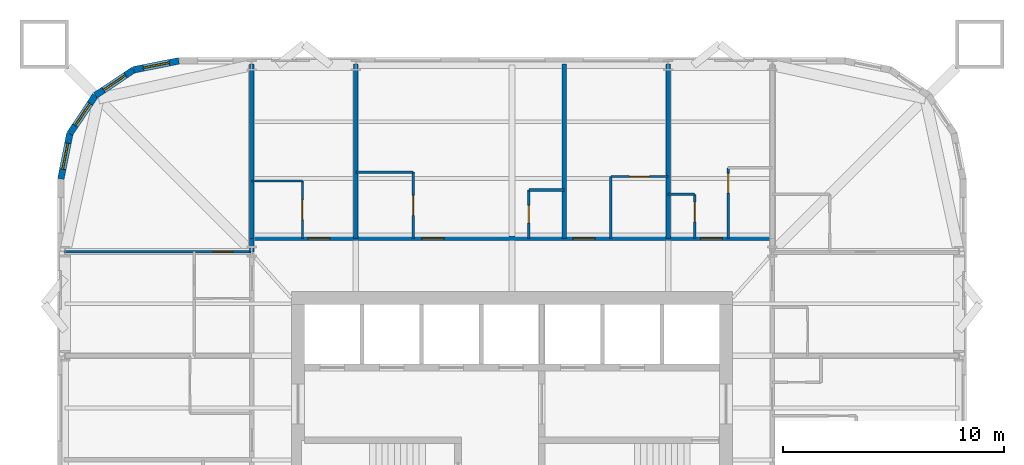
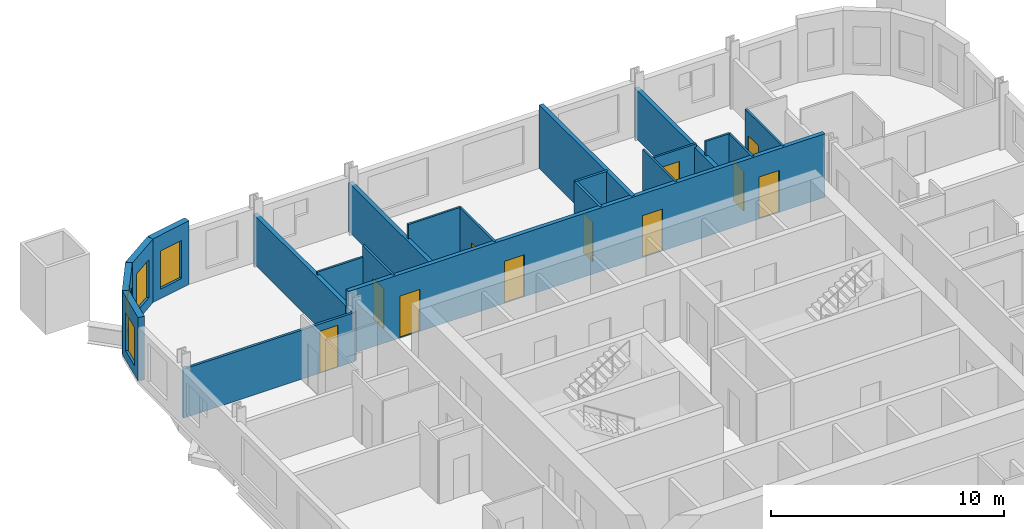
# One storey, part 7 of 9: 22 walls, 11 doors, 4 windows, 15 openings.
"""IFC4 building model written with IfcOpenShell, lengths in metres."""

from ifc_helpers import new_model, si_unit, direction, frame, frame_2d, origin, place, context, subcontext, project, spatial, rectangle, extrude, material, layer, layer_set, type_object, element, fill, save


model = new_model("IFC4")

# Units and contexts
model_context = context("Model", 3, precision=1e-05, world=origin(), true_north=direction((0.0, 1.0)))
body_context = subcontext(model_context, "Body", "Model", "MODEL_VIEW")
ifc_project = project(units=[si_unit("LENGTHUNIT", "METRE"), si_unit("AREAUNIT", "SQUARE_METRE"), si_unit("VOLUMEUNIT", "CUBIC_METRE"), si_unit("PLANEANGLEUNIT", "RADIAN"), si_unit("MASSUNIT", "GRAM", prefix="KILO")], contexts=[model_context])

# Site, building, storey
site_placement = place(None, origin())
site = spatial("IfcSite", under=ifc_project, at=site_placement, CompositionType="ELEMENT")
building_placement = place(site_placement, origin())
building = spatial("IfcBuilding", under=site, at=building_placement, Name="Turquesa Mirador Hotel Tower", CompositionType="ELEMENT")
storey_placement = place(building_placement, frame((0.0, 0.0, 110.89990234375)))
storey = spatial("IfcBuildingStorey", under=building, at=storey_placement, Name="L29", CompositionType="ELEMENT", Elevation=110.89990234375)

# Walls
ifc_material_1 = material(Name="Gypsum board on steel studs", Category="steel")
ifc_layer_1 = layer(ifc_material_1, 0.10009765625)
ifc_layer_set_1 = layer_set([ifc_layer_1], Name="BATHROOM WALL 100")
wall_type_1 = type_object("IfcWallType", Name="BATHROOM WALL 100", PredefinedType="PARTITIONING", material=ifc_layer_set_1)
wall_1_placement = place(storey_placement, frame((62.080078125, 59.39990234375, 0.0), z_axis=(0.0, 0.0, 1.0), x_axis=(1.0, 0.0, 0.0)))
element("IfcWall", 1, at=wall_1_placement, inside=storey, type_object=wall_type_1, Name="Partition L29 025", PredefinedType="PARTITIONING", context=body_context, shape_type="SweptSolid", body=[
    extrude(rectangle(XDim=1.199951171875, YDim=0.10009765625, at=frame_2d((0.60009765625, 0.0))), origin(), (0.0, 0.0, 1.0), 3.330078125),
])
wall_2_placement = place(storey_placement, frame((43.199951171875, 60.0, 0.0), z_axis=(0.0, 0.0, 1.0), x_axis=(1.0, 0.0, 0.0)))
element("IfcWall", 2, at=wall_2_placement, inside=storey, type_object=wall_type_1, Name="Partition L29 028", PredefinedType="PARTITIONING", context=body_context, shape_type="SweptSolid", body=[
    extrude(rectangle(XDim=2.300048828125, YDim=0.10009765625, at=frame_2d((1.14990234375, 0.0))), origin(), (0.0, 0.0, 1.0), 2.730712890625),
])

# Wall, opening, door
wall_3_placement = place(storey_placement, frame((59.47998046875, 60.199951171875, 0.0), z_axis=(0.0, 0.0, 1.0), x_axis=(1.0, 0.0, 0.0)))
wall_3 = element("IfcWall", 3, at=wall_3_placement, inside=storey, type_object=wall_type_1, Name="Partition L29 029", PredefinedType="PARTITIONING", context=body_context, shape_type="SweptSolid", body=[
    extrude(rectangle(XDim=2.60009765625, YDim=0.10009765625, at=frame_2d((1.300048828125, 0.0))), origin(), (0.0, 0.0, 1.0), 2.730712890625),
])
opening_1_placement = place(wall_3_placement, frame((0.85009765625, 0.0, 0.0)))
opening_1 = element("IfcOpeningElement", 4, at=opening_1_placement, cuts=wall_3, Name="Opening D02", PredefinedType="OPENING", context=body_context, shape_type="SweptSolid", body=[
    extrude(rectangle(XDim=0.89990234375, YDim=2.10009765625, at=frame_2d((0.449951171875, 1.050048828125))), frame((0.0, 0.06005859375, 0.0), z_axis=(0.0, -1.0, 0.0), x_axis=(1.0, 0.0, 0.0)), (0.0, 0.0, 1.0), 0.1201171875),
])
ifc_material_2 = material(Name="Timber veneered door", Category="wood")
door_type_1 = type_object("IfcDoorType", Name="DOOR 900X2100 EN-SUITE", OperationType="SINGLE_SWING_RIGHT", PredefinedType="DOOR", material=ifc_material_2)
door_1_placement = place(opening_1_placement, origin())
door_1 = element("IfcDoor", 5, at=door_1_placement, inside=storey, type_object=door_type_1, Name="Door 2903B", OperationType="SINGLE_SWING_RIGHT", OverallHeight=2.10009765625, OverallWidth=0.89990234375, PredefinedType="DOOR", context=body_context, shape_type="SweptSolid", body=[
    extrude(rectangle(XDim=0.89990234375, YDim=2.10009765625, at=frame_2d((0.449951171875, 1.050048828125))), frame((0.0, 0.02490234375, 0.0), z_axis=(0.0, -1.0, 0.0), x_axis=(1.0, 0.0, 0.0)), (0.0, 0.0, 1.0), 0.050048828125),
])
fill(opening_1, door_1)

# Wall
wall_4_placement = place(storey_placement, frame((47.919921875, 60.39990234375, 0.0), z_axis=(0.0, 0.0, 1.0), x_axis=(1.0, 0.0, 0.0)))
element("IfcWall", 6, at=wall_4_placement, inside=storey, type_object=wall_type_1, Name="Partition L29 030", PredefinedType="PARTITIONING", context=body_context, shape_type="SweptSolid", body=[
    extrude(rectangle(XDim=2.60009765625, YDim=0.10009765625, at=frame_2d((1.300048828125, 0.0))), origin(), (0.0, 0.0, 1.0), 3.330078125),
])

# Wall, opening, door
wall_5_placement = place(storey_placement, frame((50.52001953125, 57.39990234375, 0.0), z_axis=(0.0, 0.0, 1.0), x_axis=(0.0, 1.0, 0.0)))
wall_5 = element("IfcWall", 7, at=wall_5_placement, inside=storey, type_object=wall_type_1, Name="Partition L29 054", PredefinedType="PARTITIONING", context=body_context, shape_type="SweptSolid", body=[
    extrude(rectangle(XDim=3.0, YDim=0.10009765625, at=frame_2d((1.5, 0.0))), origin(), (0.0, 0.0, 1.0), 3.330078125),
])
opening_2_placement = place(wall_5_placement, frame((1.050048828125, 0.0, 0.0)))
opening_2 = element("IfcOpeningElement", 8, at=opening_2_placement, cuts=wall_5, Name="Opening D02", PredefinedType="OPENING", context=body_context, shape_type="SweptSolid", body=[
    extrude(rectangle(XDim=0.89990234375, YDim=2.10009765625, at=frame_2d((0.449951171875, 1.050048828125))), frame((0.0, 0.06005859375, 0.0), z_axis=(0.0, -1.0, 0.0), x_axis=(1.0, 0.0, 0.0)), (0.0, 0.0, 1.0), 0.1201171875),
])
door_2_placement = place(opening_2_placement, origin())
door_2 = element("IfcDoor", 9, at=door_2_placement, inside=storey, type_object=door_type_1, Name="Door 2902B", OperationType="SINGLE_SWING_RIGHT", OverallHeight=2.10009765625, OverallWidth=0.89990234375, PredefinedType="DOOR", context=body_context, shape_type="SweptSolid", body=[
    extrude(rectangle(XDim=0.89990234375, YDim=2.10009765625, at=frame_2d((0.449951171875, 1.050048828125))), frame((0.0, 0.02490234375, 0.0), z_axis=(0.0, -1.0, 0.0), x_axis=(1.0, 0.0, 0.0)), (0.0, 0.0, 1.0), 0.050048828125),
])
fill(opening_2, door_2)

wall_6_placement = place(storey_placement, frame((45.5, 57.39990234375, 0.0), z_axis=(0.0, 0.0, 1.0), x_axis=(0.0, 1.0, 0.0)))
wall_6 = element("IfcWall", 10, at=wall_6_placement, inside=storey, type_object=wall_type_1, Name="Partition L29 057", PredefinedType="PARTITIONING", context=body_context, shape_type="SweptSolid", body=[
    extrude(rectangle(XDim=2.60009765625, YDim=0.10009765625, at=frame_2d((1.300048828125, 0.0))), origin(), (0.0, 0.0, 1.0), 3.330078125),
])
opening_3_placement = place(wall_6_placement, frame((0.85009765625, 0.0, 0.0)))
opening_3 = element("IfcOpeningElement", 11, at=opening_3_placement, cuts=wall_6, Name="Opening D02", PredefinedType="OPENING", context=body_context, shape_type="SweptSolid", body=[
    extrude(rectangle(XDim=0.89990234375, YDim=2.10009765625, at=frame_2d((0.449951171875, 1.050048828125))), frame((0.0, 0.06005859375, 0.0), z_axis=(0.0, -1.0, 0.0), x_axis=(1.0, 0.0, 0.0)), (0.0, 0.0, 1.0), 0.1201171875),
])
door_3_placement = place(opening_3_placement, origin())
door_3 = element("IfcDoor", 12, at=door_3_placement, inside=storey, type_object=door_type_1, Name="Door 2901B", OperationType="SINGLE_SWING_RIGHT", OverallHeight=2.10009765625, OverallWidth=0.89990234375, PredefinedType="DOOR", context=body_context, shape_type="SweptSolid", body=[
    extrude(rectangle(XDim=0.89990234375, YDim=2.10009765625, at=frame_2d((0.449951171875, 1.050048828125))), frame((0.0, 0.02490234375, 0.0), z_axis=(0.0, -1.0, 0.0), x_axis=(1.0, 0.0, 0.0)), (0.0, 0.0, 1.0), 0.050048828125),
])
fill(opening_3, door_3)

# Wall
wall_7_placement = place(storey_placement, frame((59.47998046875, 57.39990234375, 0.0), z_axis=(0.0, 0.0, 1.0), x_axis=(0.0, 1.0, 0.0)))
element("IfcWall", 13, at=wall_7_placement, inside=storey, type_object=wall_type_1, Name="Partition L29 073", PredefinedType="PARTITIONING", context=body_context, shape_type="SweptSolid", body=[
    extrude(rectangle(XDim=2.800048828125, YDim=0.10009765625, at=frame_2d((1.39990234375, 0.0))), origin(), (0.0, 0.0, 1.0), 3.330078125),
])

# Wall, opening, door
wall_8_placement = place(storey_placement, frame((63.280029296875, 57.39990234375, 0.0), z_axis=(0.0, 0.0, 1.0), x_axis=(0.0, 1.0, 0.0)))
wall_8 = element("IfcWall", 14, at=wall_8_placement, inside=storey, type_object=wall_type_1, Name="Partition L29 077", PredefinedType="PARTITIONING", context=body_context, shape_type="SweptSolid", body=[
    extrude(rectangle(XDim=2.0, YDim=0.10009765625, at=frame_2d((1.0, 0.0))), origin(), (0.0, 0.0, 1.0), 3.330078125),
])
opening_4_placement = place(wall_8_placement, frame((0.75, 0.0, 0.0)))
opening_4 = element("IfcOpeningElement", 15, at=opening_4_placement, cuts=wall_8, Name="Opening D06", PredefinedType="OPENING", context=body_context, shape_type="SweptSolid", body=[
    extrude(rectangle(XDim=0.89990234375, YDim=2.10009765625, at=frame_2d((0.449951171875, 1.050048828125))), frame((0.0, 0.06005859375, 0.0), z_axis=(0.0, -1.0, 0.0), x_axis=(1.0, 0.0, 0.0)), (0.0, 0.0, 1.0), 0.1201171875),
])
ifc_material_3 = material(Name="Laminate door", Category="wood")
door_type_2 = type_object("IfcDoorType", Name="DOOR 900X2100 WC", OperationType="SINGLE_SWING_LEFT", PredefinedType="DOOR", material=ifc_material_3)
door_4_placement = place(opening_4_placement, origin())
door_4 = element("IfcDoor", 16, at=door_4_placement, inside=storey, type_object=door_type_2, Name="Door 2904W", OperationType="SINGLE_SWING_LEFT", OverallHeight=2.10009765625, OverallWidth=0.89990234375, PredefinedType="DOOR", context=body_context, shape_type="SweptSolid", body=[
    extrude(rectangle(XDim=0.89990234375, YDim=2.10009765625, at=frame_2d((0.449951171875, 1.050048828125))), frame((0.0, 0.02490234375, 0.0), z_axis=(0.0, -1.0, 0.0), x_axis=(1.0, 0.0, 0.0)), (0.0, 0.0, 1.0), 0.050048828125),
])
fill(opening_4, door_4)

wall_9_placement = place(storey_placement, frame((64.800048828125, 57.39990234375, 0.0), z_axis=(0.0, 0.0, 1.0), x_axis=(0.0, 1.0, 0.0)))
wall_9 = element("IfcWall", 17, at=wall_9_placement, inside=storey, type_object=wall_type_1, Name="Partition L29 079", PredefinedType="PARTITIONING", context=body_context, shape_type="SweptSolid", body=[
    extrude(rectangle(XDim=3.2001953125, YDim=0.10009765625, at=frame_2d((1.60009765625, 0.0))), origin(), (0.0, 0.0, 1.0), 3.330078125),
])
opening_5_placement = place(wall_9_placement, frame((2.050048828125, 0.0, 0.0)))
opening_5 = element("IfcOpeningElement", 18, at=opening_5_placement, cuts=wall_9, Name="Opening D02", PredefinedType="OPENING", context=body_context, shape_type="SweptSolid", body=[
    extrude(rectangle(XDim=0.89990234375, YDim=2.10009765625, at=frame_2d((0.449951171875, 1.050048828125))), frame((0.0, 0.06005859375, 0.0), z_axis=(0.0, -1.0, 0.0), x_axis=(1.0, 0.0, 0.0)), (0.0, 0.0, 1.0), 0.1201171875),
])
door_5_placement = place(opening_5_placement, origin())
door_5 = element("IfcDoor", 19, at=door_5_placement, inside=storey, type_object=door_type_1, Name="Door 2904B", OperationType="SINGLE_SWING_RIGHT", OverallHeight=2.10009765625, OverallWidth=0.89990234375, PredefinedType="DOOR", context=body_context, shape_type="SweptSolid", body=[
    extrude(rectangle(XDim=0.89990234375, YDim=2.10009765625, at=frame_2d((0.449951171875, 1.050048828125))), frame((0.0, 0.02490234375, 0.0), z_axis=(0.0, -1.0, 0.0), x_axis=(1.0, 0.0, 0.0)), (0.0, 0.0, 1.0), 0.050048828125),
])
fill(opening_5, door_5)

# Wall, openings, doors
ifc_material_4 = material(Name="Fire-rated gypsum board on steel studs", Category="steel")
ifc_layer_2 = layer(ifc_material_4, 0.199951171875)
ifc_layer_set_2 = layer_set([ifc_layer_2], Name="CORRIDOR WALL 200")
wall_type_2 = type_object("IfcWallType", Name="CORRIDOR WALL 200", PredefinedType="PARTITIONING", material=ifc_layer_set_2)
wall_10_placement = place(storey_placement, frame((43.199951171875, 57.39990234375, 0.0), z_axis=(0.0, 0.0, 1.0), x_axis=(1.0, 0.0, 0.0)))
wall_10 = element("IfcWall", 20, at=wall_10_placement, inside=storey, type_object=wall_type_2, Name="Partition L29 024", PredefinedType="PARTITIONING", context=body_context, shape_type="SweptSolid", body=[
    extrude(rectangle(XDim=23.60009765625, YDim=0.199951171875, at=frame_2d((11.800048828125, 0.0))), origin(), (0.0, 0.0, 1.0), 3.330078125),
])
opening_6_placement = place(wall_10_placement, frame((2.550048828125, 0.0, 0.0)))
opening_6 = element("IfcOpeningElement", 21, at=opening_6_placement, cuts=wall_10, Name="Opening D01", PredefinedType="OPENING", context=body_context, shape_type="SweptSolid", body=[
    extrude(rectangle(XDim=1.0, YDim=2.199951171875, at=frame_2d((0.5, 1.10009765625))), frame((0.0, 0.10986328125, 0.0), z_axis=(0.0, -1.0, 0.0), x_axis=(1.0, 0.0, 0.0)), (0.0, 0.0, 1.0), 0.219970703125),
])
opening_7_placement = place(wall_10_placement, frame((7.719970703125, 0.0, 0.0)))
opening_7 = element("IfcOpeningElement", 22, at=opening_7_placement, cuts=wall_10, Name="Opening D01", PredefinedType="OPENING", context=body_context, shape_type="SweptSolid", body=[
    extrude(rectangle(XDim=1.0, YDim=2.199951171875, at=frame_2d((0.5, 1.10009765625))), frame((0.0, 0.10986328125, 0.0), z_axis=(0.0, -1.0, 0.0), x_axis=(1.0, 0.0, 0.0)), (0.0, 0.0, 1.0), 0.219970703125),
])
opening_8_placement = place(wall_10_placement, frame((14.56005859375, 0.0, 0.0)))
opening_8 = element("IfcOpeningElement", 23, at=opening_8_placement, cuts=wall_10, Name="Opening D01", PredefinedType="OPENING", context=body_context, shape_type="SweptSolid", body=[
    extrude(rectangle(XDim=1.0, YDim=2.199951171875, at=frame_2d((0.5, 1.10009765625))), frame((0.0, 0.10986328125, 0.0), z_axis=(0.0, -1.0, 0.0), x_axis=(1.0, 0.0, 0.0)), (0.0, 0.0, 1.0), 0.219970703125),
])
opening_9_placement = place(wall_10_placement, frame((20.340087890625, 0.0, 0.0)))
opening_9 = element("IfcOpeningElement", 24, at=opening_9_placement, cuts=wall_10, Name="Opening D01", PredefinedType="OPENING", context=body_context, shape_type="SweptSolid", body=[
    extrude(rectangle(XDim=1.0, YDim=2.199951171875, at=frame_2d((0.5, 1.10009765625))), frame((0.0, 0.10986328125, 0.0), z_axis=(0.0, -1.0, 0.0), x_axis=(1.0, 0.0, 0.0)), (0.0, 0.0, 1.0), 0.219970703125),
])
ifc_material_5 = material(Name="Timber veneered fire door", Category="wood")
door_type_3 = type_object("IfcDoorType", Name="DOOR 1000X2200 GUEST ENTRY", OperationType="SINGLE_SWING_LEFT", PredefinedType="DOOR", material=ifc_material_5)
door_6_placement = place(opening_6_placement, origin())
door_6 = element("IfcDoor", 25, at=door_6_placement, inside=storey, type_object=door_type_3, Name="Door 2901", OperationType="SINGLE_SWING_LEFT", OverallHeight=2.199951171875, OverallWidth=1.0, PredefinedType="DOOR", context=body_context, shape_type="SweptSolid", body=[
    extrude(rectangle(XDim=1.0, YDim=2.199951171875, at=frame_2d((0.5, 1.10009765625))), frame((0.0, 0.02490234375, 0.0), z_axis=(0.0, -1.0, 0.0), x_axis=(1.0, 0.0, 0.0)), (0.0, 0.0, 1.0), 0.050048828125),
])
fill(opening_6, door_6)
door_7_placement = place(opening_7_placement, origin())
door_7 = element("IfcDoor", 26, at=door_7_placement, inside=storey, type_object=door_type_3, Name="Door 2902", OperationType="SINGLE_SWING_LEFT", OverallHeight=2.199951171875, OverallWidth=1.0, PredefinedType="DOOR", context=body_context, shape_type="SweptSolid", body=[
    extrude(rectangle(XDim=1.0, YDim=2.199951171875, at=frame_2d((0.5, 1.10009765625))), frame((0.0, 0.02490234375, 0.0), z_axis=(0.0, -1.0, 0.0), x_axis=(1.0, 0.0, 0.0)), (0.0, 0.0, 1.0), 0.050048828125),
])
fill(opening_7, door_7)
door_8_placement = place(opening_8_placement, origin())
door_8 = element("IfcDoor", 27, at=door_8_placement, inside=storey, type_object=door_type_3, Name="Door 2903", OperationType="SINGLE_SWING_LEFT", OverallHeight=2.199951171875, OverallWidth=1.0, PredefinedType="DOOR", context=body_context, shape_type="SweptSolid", body=[
    extrude(rectangle(XDim=1.0, YDim=2.199951171875, at=frame_2d((0.5, 1.10009765625))), frame((0.0, 0.02490234375, 0.0), z_axis=(0.0, -1.0, 0.0), x_axis=(1.0, 0.0, 0.0)), (0.0, 0.0, 1.0), 0.050048828125),
])
fill(opening_8, door_8)
door_9_placement = place(opening_9_placement, origin())
door_9 = element("IfcDoor", 28, at=door_9_placement, inside=storey, type_object=door_type_3, Name="Door 2904", OperationType="SINGLE_SWING_LEFT", OverallHeight=2.199951171875, OverallWidth=1.0, PredefinedType="DOOR", context=body_context, shape_type="SweptSolid", body=[
    extrude(rectangle(XDim=1.0, YDim=2.199951171875, at=frame_2d((0.5, 1.10009765625))), frame((0.0, 0.02490234375, 0.0), z_axis=(0.0, -1.0, 0.0), x_axis=(1.0, 0.0, 0.0)), (0.0, 0.0, 1.0), 0.050048828125),
])
fill(opening_9, door_9)

# Wall
wall_11_placement = place(storey_placement, frame((43.199951171875, 56.780029296875, 0.0), z_axis=(0.0, 0.0, 1.0), x_axis=(0.0, 1.0, 0.0)))
element("IfcWall", 29, at=wall_11_placement, inside=storey, type_object=wall_type_2, Name="Partition L29 080", PredefinedType="PARTITIONING", context=body_context, shape_type="SweptSolid", body=[
    extrude(rectangle(XDim=0.619873046875, YDim=0.199951171875, at=frame_2d((0.31005859375, 0.0))), origin(), (0.0, 0.0, 1.0), 2.5732421875),
])

# Wall, opening, window
ifc_material_6 = material(Name="Limestone cladding on concrete block", Category="masonry")
ifc_layer_3 = layer(ifc_material_6, 0.300048828125)
ifc_layer_set_3 = layer_set([ifc_layer_3], Name="FACADE WALL 300 STONE SCREEN")
wall_type_3 = type_object("IfcWallType", Name="FACADE WALL 300 STONE SCREEN", PredefinedType="SOLIDWALL", material=ifc_layer_set_3)
wall_12_placement = place(storey_placement, frame((39.89990234375, 65.449951171875, 0.0), z_axis=(0.0, 0.0, 1.0), x_axis=(-0.980787050784, -0.195081421501, 0.0)))
wall_12 = element("IfcWall", 30, at=wall_12_placement, inside=storey, type_object=wall_type_3, Name="Facade wall L29 10", PredefinedType="SOLIDWALL", context=body_context, shape_type="SweptSolid", body=[
    extrude(rectangle(XDim=2.08740234375, YDim=0.300048828125, at=frame_2d((1.043701171875, 0.0))), origin(), (0.0, 0.0, 1.0), 3.330078125),
])
opening_10_placement = place(wall_12_placement, frame((0.443603515625, 0.0, 0.5)))
opening_10 = element("IfcOpeningElement", 31, at=opening_10_placement, cuts=wall_12, Name="Opening WN4", PredefinedType="OPENING", context=body_context, shape_type="SweptSolid", body=[
    extrude(rectangle(XDim=1.199951171875, YDim=2.0, at=frame_2d((0.60009765625, 1.0))), frame((0.0, 0.159912109375, 0.0), z_axis=(0.0, -1.0, 0.0), x_axis=(1.0, 0.0, 0.0)), (0.0, 0.0, 1.0), 0.320068359375),
])
ifc_material_7 = material(Name="Ceramic-fritted laminated glass", Category="glass")
window_type = type_object("IfcWindowType", Name="FRITTED CORNER WINDOW 1200X2000", PartitioningType="DOUBLE_PANEL_HORIZONTAL", PredefinedType="WINDOW", material=ifc_material_7)
window_1_placement = place(opening_10_placement, origin())
window_1 = element("IfcWindow", 32, at=window_1_placement, inside=storey, type_object=window_type, Name="Window L29", OverallHeight=2.0, OverallWidth=1.199951171875, PartitioningType="SINGLE_PANEL", PredefinedType="WINDOW", context=body_context, shape_type="SweptSolid", body=[
    extrude(rectangle(XDim=1.199951171875, YDim=2.0, at=frame_2d((0.60009765625, 1.0))), frame((0.0, 0.030029296875, 0.0), z_axis=(0.0, -1.0, 0.0), x_axis=(1.0, 0.0, 0.0)), (0.0, 0.0, 1.0), 0.06005859375),
])
fill(opening_10, window_1)

wall_13_placement = place(storey_placement, frame((37.8525390625, 65.042724609375, 0.0), z_axis=(0.0, 0.0, 1.0), x_axis=(-0.831474039234, -0.555563607591, 0.0)))
wall_13 = element("IfcWall", 33, at=wall_13_placement, inside=storey, type_object=wall_type_3, Name="Facade wall L29 11", PredefinedType="SOLIDWALL", context=body_context, shape_type="SweptSolid", body=[
    extrude(rectangle(XDim=2.08740234375, YDim=0.300048828125, at=frame_2d((1.043701171875, 0.0))), origin(), (0.0, 0.0, 1.0), 3.330078125),
])
opening_11_placement = place(wall_13_placement, frame((0.443603515625, 0.0, 0.5)))
opening_11 = element("IfcOpeningElement", 34, at=opening_11_placement, cuts=wall_13, Name="Opening WN4", PredefinedType="OPENING", context=body_context, shape_type="SweptSolid", body=[
    extrude(rectangle(XDim=1.199951171875, YDim=2.0, at=frame_2d((0.60009765625, 1.0))), frame((0.0, 0.159912109375, 0.0), z_axis=(0.0, -1.0, 0.0), x_axis=(1.0, 0.0, 0.0)), (0.0, 0.0, 1.0), 0.320068359375),
])
window_2_placement = place(opening_11_placement, origin())
window_2 = element("IfcWindow", 35, at=window_2_placement, inside=storey, type_object=window_type, Name="Window L29", OverallHeight=2.0, OverallWidth=1.199951171875, PartitioningType="SINGLE_PANEL", PredefinedType="WINDOW", context=body_context, shape_type="SweptSolid", body=[
    extrude(rectangle(XDim=1.199951171875, YDim=2.0, at=frame_2d((0.60009765625, 1.0))), frame((0.0, 0.030029296875, 0.0), z_axis=(0.0, -1.0, 0.0), x_axis=(1.0, 0.0, 0.0)), (0.0, 0.0, 1.0), 0.06005859375),
])
fill(opening_11, window_2)

wall_14_placement = place(storey_placement, frame((36.116943359375, 63.883056640625, 0.0), z_axis=(0.0, 0.0, 1.0), x_axis=(-0.555563607591, -0.831474039234, 0.0)))
wall_14 = element("IfcWall", 36, at=wall_14_placement, inside=storey, type_object=wall_type_3, Name="Facade wall L29 12", PredefinedType="SOLIDWALL", context=body_context, shape_type="SweptSolid", body=[
    extrude(rectangle(XDim=2.08740234375, YDim=0.300048828125, at=frame_2d((1.043701171875, 0.0))), origin(), (0.0, 0.0, 1.0), 3.330078125),
])
opening_12_placement = place(wall_14_placement, frame((0.443603515625, 0.0, 0.5)))
opening_12 = element("IfcOpeningElement", 37, at=opening_12_placement, cuts=wall_14, Name="Opening WN4", PredefinedType="OPENING", context=body_context, shape_type="SweptSolid", body=[
    extrude(rectangle(XDim=1.199951171875, YDim=2.0, at=frame_2d((0.60009765625, 1.0))), frame((0.0, 0.159912109375, 0.0), z_axis=(0.0, -1.0, 0.0), x_axis=(1.0, 0.0, 0.0)), (0.0, 0.0, 1.0), 0.320068359375),
])
window_3_placement = place(opening_12_placement, origin())
window_3 = element("IfcWindow", 38, at=window_3_placement, inside=storey, type_object=window_type, Name="Window L29", OverallHeight=2.0, OverallWidth=1.199951171875, PartitioningType="SINGLE_PANEL", PredefinedType="WINDOW", context=body_context, shape_type="SweptSolid", body=[
    extrude(rectangle(XDim=1.199951171875, YDim=2.0, at=frame_2d((0.60009765625, 1.0))), frame((0.0, 0.030029296875, 0.0), z_axis=(0.0, -1.0, 0.0), x_axis=(1.0, 0.0, 0.0)), (0.0, 0.0, 1.0), 0.06005859375),
])
fill(opening_12, window_3)

wall_15_placement = place(storey_placement, frame((34.957275390625, 62.1474609375, 0.0), z_axis=(0.0, 0.0, 1.0), x_axis=(-0.195081421501, -0.980787050784, 0.0)))
wall_15 = element("IfcWall", 39, at=wall_15_placement, inside=storey, type_object=wall_type_3, Name="Facade wall L29 13", PredefinedType="SOLIDWALL", context=body_context, shape_type="SweptSolid", body=[
    extrude(rectangle(XDim=2.08740234375, YDim=0.300048828125, at=frame_2d((1.043701171875, 0.0))), origin(), (0.0, 0.0, 1.0), 3.330078125),
])
opening_13_placement = place(wall_15_placement, frame((0.443603515625, 0.0, 0.5)))
opening_13 = element("IfcOpeningElement", 40, at=opening_13_placement, cuts=wall_15, Name="Opening WN4", PredefinedType="OPENING", context=body_context, shape_type="SweptSolid", body=[
    extrude(rectangle(XDim=1.199951171875, YDim=2.0, at=frame_2d((0.60009765625, 1.0))), frame((0.0, 0.159912109375, 0.0), z_axis=(0.0, -1.0, 0.0), x_axis=(1.0, 0.0, 0.0)), (0.0, 0.0, 1.0), 0.320068359375),
])
window_4_placement = place(opening_13_placement, origin())
window_4 = element("IfcWindow", 41, at=window_4_placement, inside=storey, type_object=window_type, Name="Window L29", OverallHeight=2.0, OverallWidth=1.199951171875, PartitioningType="SINGLE_PANEL", PredefinedType="WINDOW", context=body_context, shape_type="SweptSolid", body=[
    extrude(rectangle(XDim=1.199951171875, YDim=2.0, at=frame_2d((0.60009765625, 1.0))), frame((0.0, 0.030029296875, 0.0), z_axis=(0.0, -1.0, 0.0), x_axis=(1.0, 0.0, 0.0)), (0.0, 0.0, 1.0), 0.06005859375),
])
fill(opening_13, window_4)

# Walls
ifc_material_8 = material(Name="Fire-rated gypsum board on steel studs", Category="steel")
ifc_layer_4 = layer(ifc_material_8, 0.199951171875)
ifc_layer_set_4 = layer_set([ifc_layer_4], Name="PARTY WALL 200")
wall_type_4 = type_object("IfcWallType", Name="PARTY WALL 200", PredefinedType="PARTITIONING", material=ifc_layer_set_4)
for number, where, z_axis, x_axis, name in (
    (42, (43.199951171875, 57.39990234375, 0.0), (0.0, 0.0, 1.0), (0.0, 1.0, 0.0), "Partition L29 044"),
    (43, (47.919921875, 57.39990234375, 0.0), (0.0, 0.0, 1.0), (0.0, 1.0, 0.0), "Partition L29 055"),
):
    element("IfcWall", number, at=place(storey_placement, frame(where, z_axis=z_axis, x_axis=x_axis)), inside=storey, type_object=wall_type_4, Name=name, PredefinedType="PARTITIONING", context=body_context, shape_type="SweptSolid", body=[
        extrude(rectangle(XDim=7.900146484375, YDim=0.199951171875, at=frame_2d((3.9501953125, 0.0))), origin(), (0.0, 0.0, 1.0), 2.5732421875),
    ])
wall_16_placement = place(storey_placement, frame((57.360107421875, 57.39990234375, 0.0), z_axis=(0.0, 0.0, 1.0), x_axis=(0.0, 1.0, 0.0)))
element("IfcWall", 44, at=wall_16_placement, inside=storey, type_object=wall_type_4, Name="Partition L29 072", PredefinedType="PARTITIONING", context=body_context, shape_type="SweptSolid", body=[
    extrude(rectangle(XDim=7.900146484375, YDim=0.199951171875, at=frame_2d((3.9501953125, 0.0))), origin(), (0.0, 0.0, 1.0), 3.330078125),
])
wall_17_placement = place(storey_placement, frame((62.080078125, 57.39990234375, 0.0), z_axis=(0.0, 0.0, 1.0), x_axis=(0.0, 1.0, 0.0)))
element("IfcWall", 45, at=wall_17_placement, inside=storey, type_object=wall_type_4, Name="Partition L29 076", PredefinedType="PARTITIONING", context=body_context, shape_type="SweptSolid", body=[
    extrude(rectangle(XDim=7.900146484375, YDim=0.199951171875, at=frame_2d((3.9501953125, 0.0))), origin(), (0.0, 0.0, 1.0), 2.5732421875),
])

# Wall, opening, door
ifc_material_9 = material(Name="Acoustic gypsum board on steel studs", Category="steel")
ifc_layer_5 = layer(ifc_material_9, 0.125)
ifc_layer_set_5 = layer_set([ifc_layer_5], Name="SUITE PARTITION 125")
wall_type_5 = type_object("IfcWallType", Name="SUITE PARTITION 125", PredefinedType="PARTITIONING", material=ifc_layer_set_5)
wall_18_placement = place(storey_placement, frame((34.699951171875, 56.800048828125, 0.0), z_axis=(0.0, 0.0, 1.0), x_axis=(1.0, 0.0, 0.0)))
wall_18 = element("IfcWall", 46, at=wall_18_placement, inside=storey, type_object=wall_type_5, Name="Partition L29 022", PredefinedType="PARTITIONING", context=body_context, shape_type="SweptSolid", body=[
    extrude(rectangle(XDim=8.5, YDim=0.125, at=frame_2d((4.25, 0.0))), origin(), (0.0, 0.0, 1.0), 2.5732421875),
])
opening_14_placement = place(wall_18_placement, frame((6.75, 0.0, 0.0)))
opening_14 = element("IfcOpeningElement", 47, at=opening_14_placement, cuts=wall_18, Name="Opening D17", PredefinedType="OPENING", context=body_context, shape_type="SweptSolid", body=[
    extrude(rectangle(XDim=0.89990234375, YDim=2.199951171875, at=frame_2d((0.449951171875, 1.10009765625))), frame((0.0, 0.072509765625, 0.0), z_axis=(0.0, -1.0, 0.0), x_axis=(1.0, 0.0, 0.0)), (0.0, 0.0, 1.0), 0.14501953125),
])
ifc_material_10 = material(Name="Timber veneered door", Category="wood")
door_type_4 = type_object("IfcDoorType", Name="DOOR 900X2200 SUITE INTERNAL", OperationType="SINGLE_SWING_LEFT", PredefinedType="DOOR", material=ifc_material_10)
door_10_placement = place(opening_14_placement, origin())
door_10 = element("IfcDoor", 48, at=door_10_placement, inside=storey, type_object=door_type_4, Name="Door 2914", OperationType="SINGLE_SWING_LEFT", OverallHeight=2.199951171875, OverallWidth=0.89990234375, PredefinedType="DOOR", context=body_context, shape_type="SweptSolid", body=[
    extrude(rectangle(XDim=0.89990234375, YDim=2.199951171875, at=frame_2d((0.449951171875, 1.10009765625))), frame((0.0, 0.02490234375, 0.0), z_axis=(0.0, -1.0, 0.0), x_axis=(1.0, 0.0, 0.0)), (0.0, 0.0, 1.0), 0.050048828125),
])
fill(opening_14, door_10)

# Wall
wall_19_placement = place(storey_placement, frame((55.760009765625, 59.60009765625, 0.0), z_axis=(0.0, 0.0, 1.0), x_axis=(1.0, 0.0, 0.0)))
element("IfcWall", 49, at=wall_19_placement, inside=storey, type_object=wall_type_5, Name="Partition L29 027", PredefinedType="PARTITIONING", context=body_context, shape_type="SweptSolid", body=[
    extrude(rectangle(XDim=1.60009765625, YDim=0.125, at=frame_2d((0.800048828125, 0.0))), origin(), (0.0, 0.0, 1.0), 3.330078125),
])

# Wall, opening, door
wall_20_placement = place(storey_placement, frame((55.760009765625, 57.39990234375, 0.0), z_axis=(0.0, 0.0, 1.0), x_axis=(0.0, 1.0, 0.0)))
wall_20 = element("IfcWall", 50, at=wall_20_placement, inside=storey, type_object=wall_type_5, Name="Partition L29 059", PredefinedType="PARTITIONING", context=body_context, shape_type="SweptSolid", body=[
    extrude(rectangle(XDim=2.2001953125, YDim=0.125, at=frame_2d((1.10009765625, 0.0))), origin(), (0.0, 0.0, 1.0), 3.330078125),
])
opening_15_placement = place(wall_20_placement, frame((0.699951171875, 0.0, 0.0)))
opening_15 = element("IfcOpeningElement", 51, at=opening_15_placement, cuts=wall_20, Name="Opening D20", PredefinedType="OPENING", context=body_context, shape_type="SweptSolid", body=[
    extrude(rectangle(XDim=0.800048828125, YDim=2.10009765625, at=frame_2d((0.39990234375, 1.050048828125))), frame((0.0, 0.072509765625, 0.0), z_axis=(0.0, -1.0, 0.0), x_axis=(1.0, 0.0, 0.0)), (0.0, 0.0, 1.0), 0.14501953125),
])
ifc_material_11 = material(Name="Timber veneered sliding door", Category="wood")
door_type_5 = type_object("IfcDoorType", Name="DOOR 800X2100 WARDROBE", OperationType="SLIDING_TO_LEFT", PredefinedType="DOOR", material=ifc_material_11)
door_11_placement = place(opening_15_placement, origin())
door_11 = element("IfcDoor", 52, at=door_11_placement, inside=storey, type_object=door_type_5, Name="Door 2902W", OperationType="SLIDING_TO_LEFT", OverallHeight=2.10009765625, OverallWidth=0.800048828125, PredefinedType="DOOR", context=body_context, shape_type="SweptSolid", body=[
    extrude(rectangle(XDim=0.800048828125, YDim=2.10009765625, at=frame_2d((0.39990234375, 1.050048828125))), frame((0.0, 0.02490234375, 0.0), z_axis=(0.0, -1.0, 0.0), x_axis=(1.0, 0.0, 0.0)), (0.0, 0.0, 1.0), 0.050048828125),
])
fill(opening_15, door_11)

save(model, "model.ifc")
